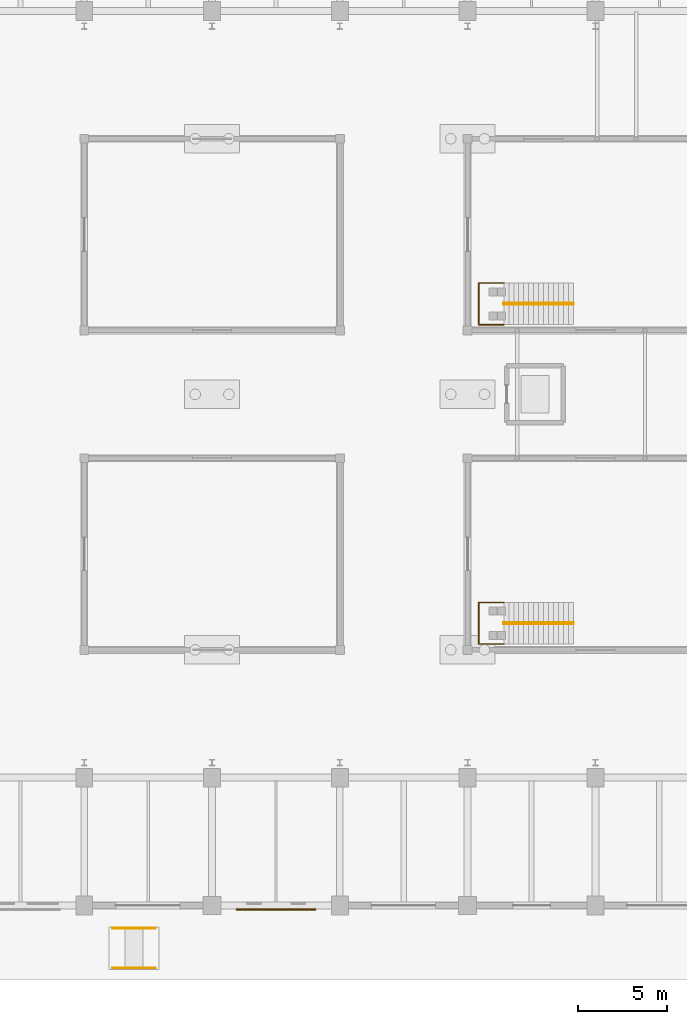
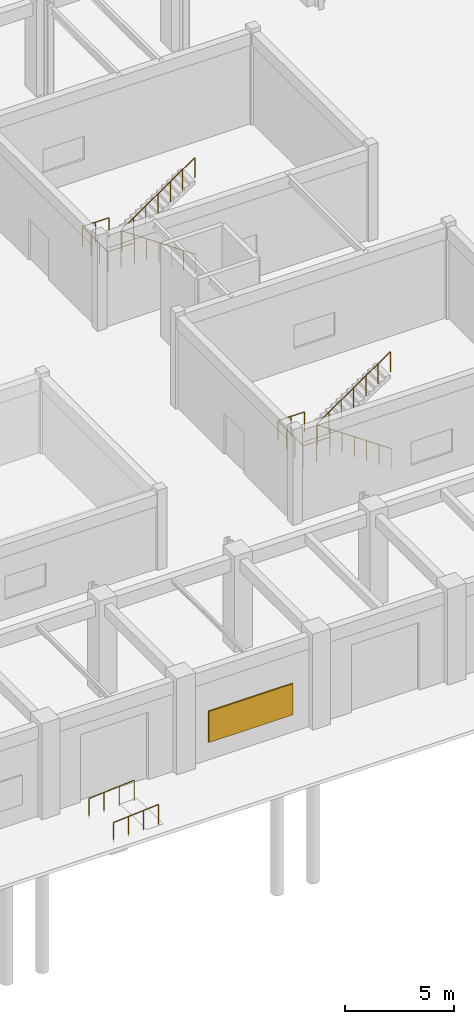
# One storey, part 157 of 160: 8 railings, 1 shading device.
"""IFC4 building model written with IfcOpenShell, lengths in metres."""

from ifc_helpers import new_model, si_unit, direction, frame, origin, origin_2d, place, context, subcontext, project, spatial, rectangle, circle, extrude, material, layer, layer_set, type_object, element, save


model = new_model("IFC4")

# Units and contexts
model_context = context("Model", 3, precision=1e-05, world=origin(), true_north=direction((0.0, 1.0)))
body_context = subcontext(model_context, "Body", "Model", "MODEL_VIEW")
ifc_project = project(units=[si_unit("LENGTHUNIT", "METRE"), si_unit("AREAUNIT", "SQUARE_METRE"), si_unit("VOLUMEUNIT", "CUBIC_METRE"), si_unit("PLANEANGLEUNIT", "RADIAN"), si_unit("MASSUNIT", "GRAM", prefix="KILO")], contexts=[model_context])

# Site, building, storey
site_placement = place(None, origin())
site = spatial("IfcSite", under=ifc_project, at=site_placement, CompositionType="ELEMENT")
building_placement = place(site_placement, origin())
building = spatial("IfcBuilding", under=site, at=building_placement, Name="Thalmaran Polytechnic", CompositionType="ELEMENT")
storey_placement = place(building_placement, origin())
storey = spatial("IfcBuildingStorey", under=building, at=storey_placement, Name="L00", CompositionType="ELEMENT", Elevation=0.0)

# Railings
ifc_material_1 = material(Name="Stainless steel 316", Category="steel")
railing_type = type_object("IfcRailingType", Name="RL-GR01", PredefinedType="GUARDRAIL", material=ifc_material_1)
railing_1_placement = place(storey_placement, frame((149.9599609375, 15.860107421875, 0.0)))
element("IfcRailing", 1, at=railing_1_placement, inside=storey, type_object=railing_type, Name="STP1 Lower Flight Guardrail", PredefinedType="GUARDRAIL", context=body_context, shape_type="SweptSolid", body=[
    extrude(circle(Radius=0.02392578125, at=origin_2d()), frame((0.0, 0.0, 1.1259765625), z_axis=(-0.823550731654, 0.0, 0.567242622158), x_axis=(0.0, -1.0, 0.0)), (0.0, 0.0, 1.0), 4.759765625),
    extrude(circle(Radius=0.02099609375, at=origin_2d()), origin(), (0.0, 0.0, 1.0), 1.101806640625),
    extrude(circle(Radius=0.02099609375, at=origin_2d()), frame((-0.6533203125, 0.0, 0.449951171875)), (0.0, 0.0, 1.0), 1.101806640625),
    extrude(circle(Radius=0.02099609375, at=origin_2d()), frame((-1.306640625, 0.0, 0.89990234375)), (0.0, 0.0, 1.0), 1.101806640625),
    extrude(circle(Radius=0.02099609375, at=origin_2d()), frame((-1.9599609375, 0.0, 1.35009765625)), (0.0, 0.0, 1.0), 1.101806640625),
    extrude(circle(Radius=0.02099609375, at=origin_2d()), frame((-2.61328125, 0.0, 1.800048828125)), (0.0, 0.0, 1.0), 1.101806640625),
    extrude(circle(Radius=0.02099609375, at=origin_2d()), frame((-3.2666015625, 0.0, 2.25)), (0.0, 0.0, 1.0), 1.101806640625),
    extrude(circle(Radius=0.02099609375, at=origin_2d()), frame((-3.919921875, 0.0, 2.699951171875)), (0.0, 0.0, 1.0), 1.101806640625),
])
railing_2_placement = place(storey_placement, frame((146.0400390625, 15.93994140625, 2.699951171875)))
element("IfcRailing", 2, at=railing_2_placement, inside=storey, type_object=railing_type, Name="STP1 Upper Flight Guardrail", PredefinedType="GUARDRAIL", context=body_context, shape_type="SweptSolid", body=[
    extrude(circle(Radius=0.02392578125, at=origin_2d()), frame((0.0, 0.0, 1.1259765625), z_axis=(0.823550731654, 0.0, 0.567242622158), x_axis=(0.0, 1.0, 0.0)), (0.0, 0.0, 1.0), 4.759765625),
    extrude(circle(Radius=0.02099609375, at=origin_2d()), origin(), (0.0, 0.0, 1.0), 1.101806640625),
    extrude(circle(Radius=0.02099609375, at=origin_2d()), frame((0.6533203125, 0.0, 0.449951171875)), (0.0, 0.0, 1.0), 1.101806640625),
    extrude(circle(Radius=0.02099609375, at=origin_2d()), frame((1.306640625, 0.0, 0.89990234375)), (0.0, 0.0, 1.0), 1.101806640625),
    extrude(circle(Radius=0.02099609375, at=origin_2d()), frame((1.9599609375, 0.0, 1.35009765625)), (0.0, 0.0, 1.0), 1.101806640625),
    extrude(circle(Radius=0.02099609375, at=origin_2d()), frame((2.61328125, 0.0, 1.800048828125)), (0.0, 0.0, 1.0), 1.101806640625),
    extrude(circle(Radius=0.02099609375, at=origin_2d()), frame((3.2666015625, 0.0, 2.25)), (0.0, 0.0, 1.0), 1.101806640625),
    extrude(circle(Radius=0.02099609375, at=origin_2d()), frame((3.919921875, 0.0, 2.699951171875)), (0.0, 0.0, 1.0), 1.101806640625),
])
railing_3_placement = place(storey_placement, frame((146.0400390625, 14.72998046875, 2.699951171875)))
element("IfcRailing", 3, at=railing_3_placement, inside=storey, type_object=railing_type, Name="STP1 Half-Landing Perimeter Guardrail", PredefinedType="GUARDRAIL", context=body_context, shape_type="SweptSolid", body=[
    extrude(circle(Radius=0.02392578125, at=origin_2d()), frame((0.0, 0.0, 1.1259765625), z_axis=(-1.0, 0.0, 0.0), x_axis=(0.0, -1.0, 0.0)), (0.0, 0.0, 1.0), 1.41015625),
    extrude(circle(Radius=0.02392578125, at=origin_2d()), frame((-1.41015625, 0.0, 1.1259765625), z_axis=(0.0, 1.0, 0.0), x_axis=(-1.0, 0.0, 0.0)), (0.0, 0.0, 1.0), 2.340087890625),
    extrude(circle(Radius=0.02392578125, at=origin_2d()), frame((-1.41015625, 2.340087890625, 1.1259765625), z_axis=(1.0, 0.0, 0.0), x_axis=(0.0, 1.0, 0.0)), (0.0, 0.0, 1.0), 1.41015625),
    extrude(circle(Radius=0.02099609375, at=origin_2d()), origin(), (0.0, 0.0, 1.0), 1.101806640625),
    extrude(circle(Radius=0.02099609375, at=origin_2d()), frame((-0.705078125, 0.0, 0.0)), (0.0, 0.0, 1.0), 1.101806640625),
    extrude(circle(Radius=0.02099609375, at=origin_2d()), frame((-1.41015625, 0.0, 0.0)), (0.0, 0.0, 1.0), 1.101806640625),
    extrude(circle(Radius=0.02099609375, at=origin_2d()), frame((-1.41015625, 0.780029296875, 0.0)), (0.0, 0.0, 1.0), 1.101806640625),
    extrude(circle(Radius=0.02099609375, at=origin_2d()), frame((-1.41015625, 1.56005859375, 0.0)), (0.0, 0.0, 1.0), 1.101806640625),
    extrude(circle(Radius=0.02099609375, at=origin_2d()), frame((-1.41015625, 2.340087890625, 0.0)), (0.0, 0.0, 1.0), 1.101806640625),
    extrude(circle(Radius=0.02099609375, at=origin_2d()), frame((-0.705078125, 2.340087890625, 0.0)), (0.0, 0.0, 1.0), 1.101806640625),
    extrude(circle(Radius=0.02099609375, at=origin_2d()), frame((0.0, 2.340087890625, 0.0)), (0.0, 0.0, 1.0), 1.101806640625),
])
railing_4_placement = place(storey_placement, frame((149.9599609375, 33.860107421875, 0.0)))
element("IfcRailing", 4, at=railing_4_placement, inside=storey, type_object=railing_type, Name="STP2 Lower Flight Guardrail", PredefinedType="GUARDRAIL", context=body_context, shape_type="SweptSolid", body=[
    extrude(circle(Radius=0.02392578125, at=origin_2d()), frame((0.0, 0.0, 1.1259765625), z_axis=(-0.823550731654, 0.0, 0.567242622158), x_axis=(0.0, -1.0, 0.0)), (0.0, 0.0, 1.0), 4.759765625),
    extrude(circle(Radius=0.02099609375, at=origin_2d()), origin(), (0.0, 0.0, 1.0), 1.101806640625),
    extrude(circle(Radius=0.02099609375, at=origin_2d()), frame((-0.6533203125, 0.0, 0.449951171875)), (0.0, 0.0, 1.0), 1.101806640625),
    extrude(circle(Radius=0.02099609375, at=origin_2d()), frame((-1.306640625, 0.0, 0.89990234375)), (0.0, 0.0, 1.0), 1.101806640625),
    extrude(circle(Radius=0.02099609375, at=origin_2d()), frame((-1.9599609375, 0.0, 1.35009765625)), (0.0, 0.0, 1.0), 1.101806640625),
    extrude(circle(Radius=0.02099609375, at=origin_2d()), frame((-2.61328125, 0.0, 1.800048828125)), (0.0, 0.0, 1.0), 1.101806640625),
    extrude(circle(Radius=0.02099609375, at=origin_2d()), frame((-3.2666015625, 0.0, 2.25)), (0.0, 0.0, 1.0), 1.101806640625),
    extrude(circle(Radius=0.02099609375, at=origin_2d()), frame((-3.919921875, 0.0, 2.699951171875)), (0.0, 0.0, 1.0), 1.101806640625),
])
railing_5_placement = place(storey_placement, frame((146.0400390625, 33.93994140625, 2.699951171875)))
element("IfcRailing", 5, at=railing_5_placement, inside=storey, type_object=railing_type, Name="STP2 Upper Flight Guardrail", PredefinedType="GUARDRAIL", context=body_context, shape_type="SweptSolid", body=[
    extrude(circle(Radius=0.02392578125, at=origin_2d()), frame((0.0, 0.0, 1.1259765625), z_axis=(0.823550731654, 0.0, 0.567242622158), x_axis=(0.0, 1.0, 0.0)), (0.0, 0.0, 1.0), 4.759765625),
    extrude(circle(Radius=0.02099609375, at=origin_2d()), origin(), (0.0, 0.0, 1.0), 1.101806640625),
    extrude(circle(Radius=0.02099609375, at=origin_2d()), frame((0.6533203125, 0.0, 0.449951171875)), (0.0, 0.0, 1.0), 1.101806640625),
    extrude(circle(Radius=0.02099609375, at=origin_2d()), frame((1.306640625, 0.0, 0.89990234375)), (0.0, 0.0, 1.0), 1.101806640625),
    extrude(circle(Radius=0.02099609375, at=origin_2d()), frame((1.9599609375, 0.0, 1.35009765625)), (0.0, 0.0, 1.0), 1.101806640625),
    extrude(circle(Radius=0.02099609375, at=origin_2d()), frame((2.61328125, 0.0, 1.800048828125)), (0.0, 0.0, 1.0), 1.101806640625),
    extrude(circle(Radius=0.02099609375, at=origin_2d()), frame((3.2666015625, 0.0, 2.25)), (0.0, 0.0, 1.0), 1.101806640625),
    extrude(circle(Radius=0.02099609375, at=origin_2d()), frame((3.919921875, 0.0, 2.699951171875)), (0.0, 0.0, 1.0), 1.101806640625),
])
railing_6_placement = place(storey_placement, frame((146.0400390625, 32.72998046875, 2.699951171875)))
element("IfcRailing", 6, at=railing_6_placement, inside=storey, type_object=railing_type, Name="STP2 Half-Landing Perimeter Guardrail", PredefinedType="GUARDRAIL", context=body_context, shape_type="SweptSolid", body=[
    extrude(circle(Radius=0.02392578125, at=origin_2d()), frame((0.0, 0.0, 1.1259765625), z_axis=(-1.0, 0.0, 0.0), x_axis=(0.0, -1.0, 0.0)), (0.0, 0.0, 1.0), 1.41015625),
    extrude(circle(Radius=0.02392578125, at=origin_2d()), frame((-1.41015625, 0.0, 1.1259765625), z_axis=(0.0, 1.0, 0.0), x_axis=(-1.0, 0.0, 0.0)), (0.0, 0.0, 1.0), 2.340087890625),
    extrude(circle(Radius=0.02392578125, at=origin_2d()), frame((-1.41015625, 2.340087890625, 1.1259765625), z_axis=(1.0, 0.0, 0.0), x_axis=(0.0, 1.0, 0.0)), (0.0, 0.0, 1.0), 1.41015625),
    extrude(circle(Radius=0.02099609375, at=origin_2d()), origin(), (0.0, 0.0, 1.0), 1.101806640625),
    extrude(circle(Radius=0.02099609375, at=origin_2d()), frame((-0.705078125, 0.0, 0.0)), (0.0, 0.0, 1.0), 1.101806640625),
    extrude(circle(Radius=0.02099609375, at=origin_2d()), frame((-1.41015625, 0.0, 0.0)), (0.0, 0.0, 1.0), 1.101806640625),
    extrude(circle(Radius=0.02099609375, at=origin_2d()), frame((-1.41015625, 0.780029296875, 0.0)), (0.0, 0.0, 1.0), 1.101806640625),
    extrude(circle(Radius=0.02099609375, at=origin_2d()), frame((-1.41015625, 1.56005859375, 0.0)), (0.0, 0.0, 1.0), 1.101806640625),
    extrude(circle(Radius=0.02099609375, at=origin_2d()), frame((-1.41015625, 2.340087890625, 0.0)), (0.0, 0.0, 1.0), 1.101806640625),
    extrude(circle(Radius=0.02099609375, at=origin_2d()), frame((-0.705078125, 2.340087890625, 0.0)), (0.0, 0.0, 1.0), 1.101806640625),
    extrude(circle(Radius=0.02099609375, at=origin_2d()), frame((0.0, 2.340087890625, 0.0)), (0.0, 0.0, 1.0), 1.101806640625),
])
for number, where, name in (
    (7, (124.0, -3.52001953125, -0.179931640625), "Ramp Guardrail PED3-A"),
    (8, (124.0, -1.280029296875, -0.179931640625), "Ramp Guardrail PED3-B"),
):
    element("IfcRailing", number, at=place(storey_placement, frame(where)), inside=storey, type_object=railing_type, Name=name, PredefinedType="GUARDRAIL", context=body_context, shape_type="SweptSolid", body=[
        extrude(circle(Radius=0.02392578125, at=origin_2d()), frame((0.0, 0.0, 1.1259765625), z_axis=(0.997201201018, 0.0, 0.074764728906), x_axis=(0.0, 1.0, 0.0)), (0.0, 0.0, 1.0), 2.40673828125),
        extrude(circle(Radius=0.02099609375, at=origin_2d()), origin(), (0.0, 0.0, 1.0), 1.101806640625),
        extrude(circle(Radius=0.02099609375, at=origin_2d()), frame((0.800048828125, 0.0, 0.06005859375)), (0.0, 0.0, 1.0), 1.101806640625),
        extrude(circle(Radius=0.02099609375, at=origin_2d()), frame((1.599853515625, 0.0, 0.119873046875)), (0.0, 0.0, 1.0), 1.101806640625),
        extrude(circle(Radius=0.02099609375, at=origin_2d()), frame((2.39990234375, 0.0, 0.179931640625)), (0.0, 0.0, 1.0), 1.101806640625),
    ])

# Shading device
ifc_material_2 = material(Name="Perforated anodised-bronze aluminium screen", Category="aluminium")
ifc_layer = layer(ifc_material_2, 0.080078125, Name="Perforated anodised-bronze aluminium screen")
ifc_layer_set = layer_set([ifc_layer], Name="Perforated anodised-bronze aluminium screen")
shading_device_type = type_object("IfcShadingDeviceType", Name="SH-JL01", PredefinedType="JALOUSIE", material=ifc_layer_set)
shading_device_placement = place(storey_placement, frame((133.199951171875, -0.219970703125, 1.02490234375), z_axis=(0.0, 0.0, 1.0), x_axis=(-1.0, 0.0, 0.0)))
element("IfcShadingDevice", 9, at=shading_device_placement, inside=storey, type_object=shading_device_type, Name="Anodised-Bronze Mashrabiya Solar Screen L00-074", PredefinedType="JALOUSIE", context=body_context, shape_type="SweptSolid", body=[
    extrude(rectangle(XDim=4.48193359375, YDim=0.080078125, at=origin_2d()), origin(), (0.0, 0.0, 1.0), 1.75),
])

save(model, "model.ifc")
